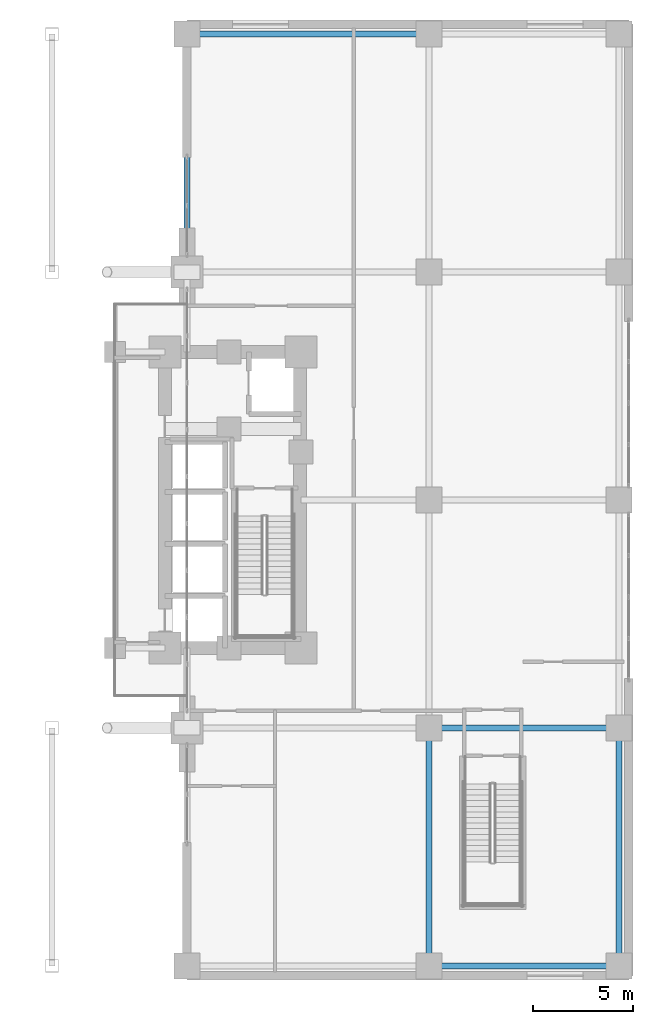
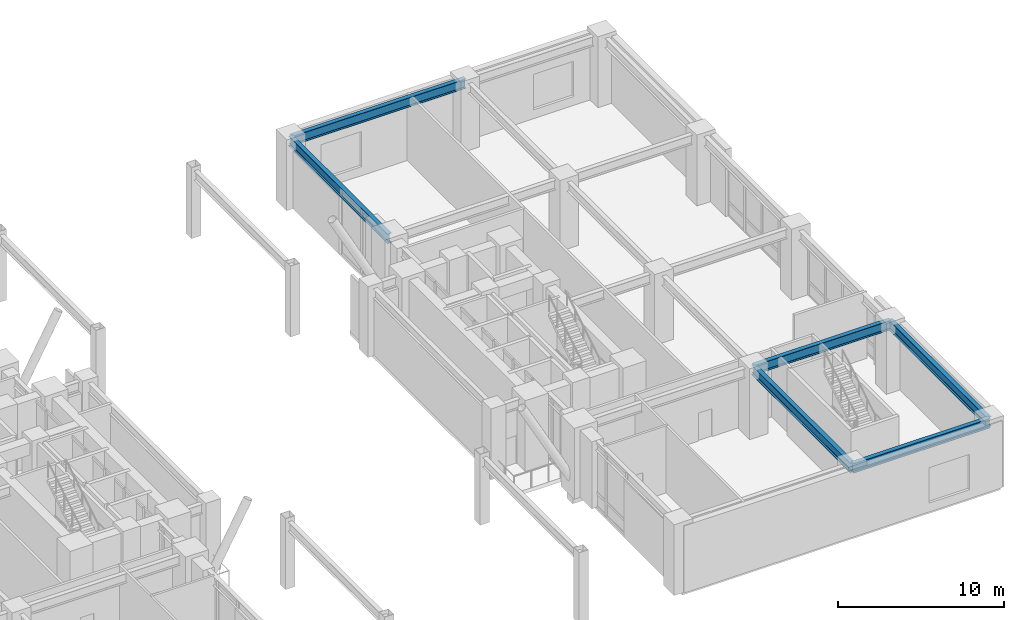
# One storey, part 15 of 27: 6 beams.
"""IFC4 building model written with IfcOpenShell, lengths in metres."""

from ifc_helpers import new_model, si_unit, direction, frame, origin, origin_2d, place, context, subcontext, project, spatial, i_section, extrude, material, material_profile, profile_set, type_object, element, save


model = new_model("IFC4")

# Units and contexts
model_context = context("Model", 3, precision=1e-05, world=origin(), true_north=direction((0.0, 1.0)))
body_context = subcontext(model_context, "Body", "Model", "MODEL_VIEW")
ifc_project = project(units=[si_unit("LENGTHUNIT", "METRE"), si_unit("AREAUNIT", "SQUARE_METRE"), si_unit("VOLUMEUNIT", "CUBIC_METRE"), si_unit("PLANEANGLEUNIT", "RADIAN"), si_unit("MASSUNIT", "GRAM", prefix="KILO")], contexts=[model_context])

# Site, building, storey
site_placement = place(None, origin())
site = spatial("IfcSite", under=ifc_project, at=site_placement, CompositionType="ELEMENT")
building_placement = place(site_placement, origin())
building = spatial("IfcBuilding", under=site, at=building_placement, Name="Voryun Gate Residences", CompositionType="ELEMENT")
storey_placement = place(building_placement, frame((0.0, 0.0, 5.199951171875)))
storey = spatial("IfcBuildingStorey", under=building, at=storey_placement, Name="L01", CompositionType="ELEMENT", Elevation=5.199951171875)

# Beams
ifc_material = material(Name="Steel SM355", Category="steel")
ifc_material_profile = material_profile(ifc_material, i_section(OverallWidth=0.300048828125, OverallDepth=0.699951171875, WebThickness=0.012939453125, FlangeThickness=0.02392578125, FilletRadius=0.01806640625, at=origin_2d()), Name="H-700x300x13x24")
ifc_profile_set = profile_set([ifc_material_profile], Name="Steel SM355")
beam_type = type_object("IfcBeamType", Name="BM_GIRD_700", PredefinedType="USERDEFINED", material=ifc_profile_set)
for number, where, z_axis, x_axis, name in (
    (1, (25.60009765625, -23.300048828125, 4.570068359375), (1.0, 0.0, 0.0), (0.0, 1.0, 0.0), "BM-L01-PEX--23.3-1"),
    (2, (25.60009765625, -11.39990234375, 4.570068359375), (1.0, 0.0, 0.0), (0.0, 1.0, 0.0), "BM-L01-PEX--11.4-1"),
):
    element("IfcBeam", number, at=place(storey_placement, frame(where, z_axis=z_axis, x_axis=x_axis)), inside=storey, type_object=beam_type, Name=name, ObjectType="GIRDER", PredefinedType="USERDEFINED", context=body_context, shape_type="SweptSolid", body=[
        extrude(i_section(OverallWidth=0.300048828125, OverallDepth=0.699951171875, WebThickness=0.012939453125, FlangeThickness=0.02392578125, FilletRadius=0.01806640625, at=origin_2d()), origin(), (0.0, 0.0, 1.0), 9.5),
    ])
beam_placement = place(storey_placement, frame((13.5, 23.300048828125, 4.570068359375), z_axis=(1.0, 0.0, 0.0), x_axis=(0.0, 1.0, 0.0)))
element("IfcBeam", 3, at=beam_placement, inside=storey, type_object=beam_type, Name="BM-L01-PEX-+23.3-0", ObjectType="GIRDER", PredefinedType="USERDEFINED", context=body_context, shape_type="SweptSolid", body=[
    extrude(i_section(OverallWidth=0.300048828125, OverallDepth=0.699951171875, WebThickness=0.012939453125, FlangeThickness=0.02392578125, FilletRadius=0.01806640625, at=origin_2d()), origin(), (0.0, 0.0, 1.0), 12.10009765625),
])
for number, where, z_axis, x_axis, name in (
    (4, (13.5, 11.39990234375, 4.570068359375), (0.0, 1.0, 0.0), (-1.0, 0.0, 0.0), "BM-L01-PEYA-+11.4"),
    (5, (25.60009765625, -23.300048828125, 4.570068359375), (0.0, 1.0, 0.0), (-1.0, 0.0, 0.0), "BM-L01-PEY-+25.6-0"),
    (6, (35.10009765625, -23.300048828125, 4.570068359375), (0.0, 1.0, 0.0), (-1.0, 0.0, 0.0), "BM-L01-PEY-+35.1-0"),
):
    element("IfcBeam", number, at=place(storey_placement, frame(where, z_axis=z_axis, x_axis=x_axis)), inside=storey, type_object=beam_type, Name=name, ObjectType="GIRDER", PredefinedType="USERDEFINED", context=body_context, shape_type="SweptSolid", body=[
        extrude(i_section(OverallWidth=0.300048828125, OverallDepth=0.699951171875, WebThickness=0.012939453125, FlangeThickness=0.02392578125, FilletRadius=0.01806640625, at=origin_2d()), origin(), (0.0, 0.0, 1.0), 11.900146484375),
    ])

save(model, "model.ifc")
